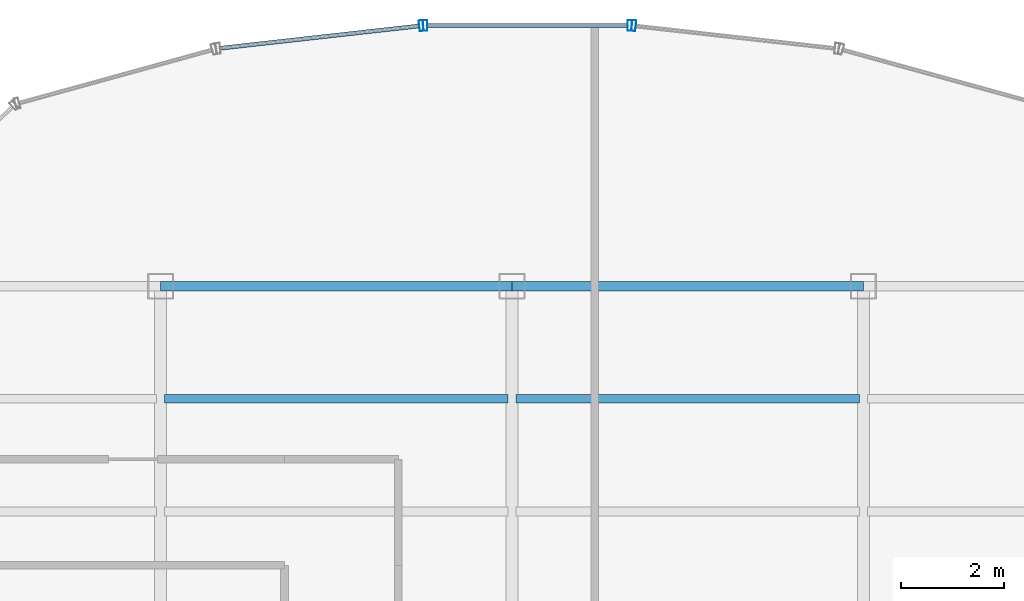
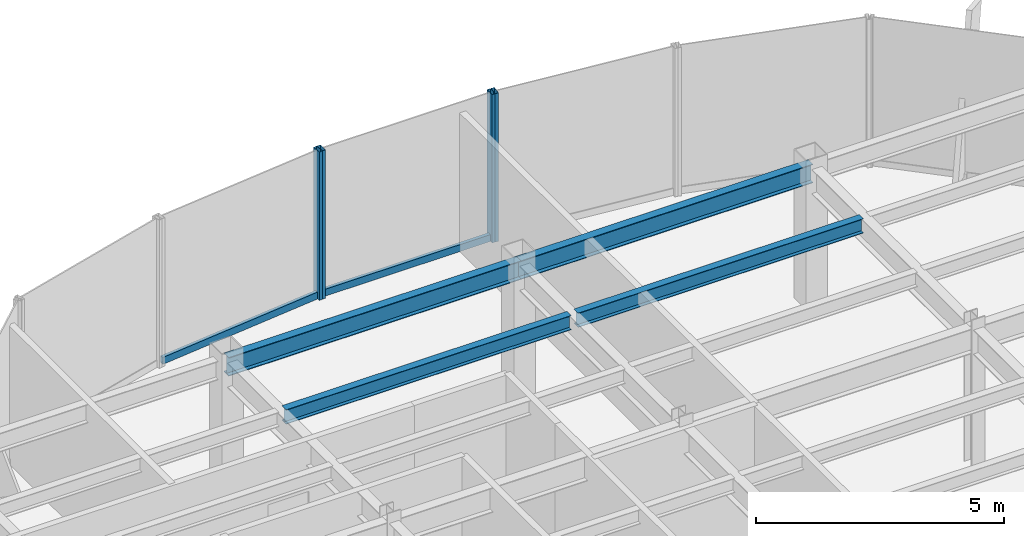
# One storey, part 13 of 22: 6 members, 4 beams, 3 elements without a shape of their own.
"""IFC4 building model written with IfcOpenShell, lengths in metres."""

from ifc_helpers import new_model, si_unit, derived_unit, direction, frame, origin, origin_2d, place, context, subcontext, project, spatial, hollow_rectangle, i_section, extrude, source, transform, mapped, material, material_profile, profile_set, type_object, element, aggregate, save


model = new_model("IFC4")

# Units and contexts
model_context = context("Model", 3, precision=1e-05, world=origin(), true_north=direction((0.0, 1.0)))
body_context = subcontext(model_context, "Body", "Model", "MODEL_VIEW")
ifc_project = project(units=[si_unit("LENGTHUNIT", "METRE"), si_unit("AREAUNIT", "SQUARE_METRE"), si_unit("VOLUMEUNIT", "CUBIC_METRE"), si_unit("PLANEANGLEUNIT", "RADIAN"), si_unit("MASSUNIT", "GRAM", prefix="KILO"), derived_unit("THERMALTRANSMITTANCEUNIT", [(si_unit("POWERUNIT", "WATT"), 1), (si_unit("LENGTHUNIT", "METRE"), -2), (si_unit("THERMODYNAMICTEMPERATUREUNIT", "KELVIN"), -1)])], contexts=[model_context])

# Site, building, storey
site_placement = place(None, origin())
site = spatial("IfcSite", under=ifc_project, at=site_placement, CompositionType="ELEMENT")
building_placement = place(site_placement, origin())
building = spatial("IfcBuilding", under=site, at=building_placement, Name="Skarnbrae Concourse Arena and Tower", CompositionType="ELEMENT")
storey_placement = place(building_placement, frame((0.0, 0.0, 214.14990234375)))
storey = spatial("IfcBuildingStorey", under=building, at=storey_placement, Name="L55", CompositionType="ELEMENT", Elevation=214.14990234375)

# Beams
ifc_material_1 = material(Name="Steel CSA G40.21 350W", Category="steel")
ifc_material_profile_1 = material_profile(ifc_material_1, i_section(OverallWidth=0.19091796875, OverallDepth=0.4599609375, WebThickness=0.010009765625, FlangeThickness=0.01611328125, at=origin_2d()), Name="W460X82")
ifc_profile_set_1 = profile_set([ifc_material_profile_1], Name="Steel CSA G40.21 350W")
beam_type_1 = type_object("IfcBeamType", Name="BM-SPAN-W460X82", PredefinedType="SPANDREL", material=ifc_profile_set_1)
shared_shape_1 = source(origin(), body_context, "Body", "SweptSolid", [
    extrude(i_section(OverallWidth=0.19091796875, OverallDepth=0.4599609375, WebThickness=0.010009765625, FlangeThickness=0.01611328125, at=origin_2d()), origin(), (0.0, 0.0, 1.0), 6.800048828125),
])
for number, where, z_axis, x_axis, name in (
    (1, (14.39990234375, 34.39990234375, 3.170166015625), (1.0, 0.0, 0.0), (0.0, 1.0, 0.0), "L55 Perimeter spandrel Y34.4-2"),
    (2, (21.199951171875, 34.39990234375, 3.170166015625), (1.0, 0.0, 0.0), (0.0, 1.0, 0.0), "L55 Perimeter spandrel Y34.4-3"),
):
    element("IfcBeam", number, at=place(storey_placement, frame(where, z_axis=z_axis, x_axis=x_axis)), inside=storey, type_object=beam_type_1, Name=name, PredefinedType="SPANDREL", context=body_context, shape_type="MappedRepresentation", body=[
        mapped(shared_shape_1, transform((0.0, 0.0, 0.0))),
    ])
ifc_material_profile_2 = material_profile(ifc_material_1, i_section(OverallWidth=0.1708984375, OverallDepth=0.35498046875, WebThickness=0.007080078125, FlangeThickness=0.01171875, at=origin_2d()), Name="W360X51")
ifc_profile_set_2 = profile_set([ifc_material_profile_2], Name="Steel CSA G40.21 350W")
beam_type_2 = type_object("IfcBeamType", Name="BM-JOIST-W360X51", PredefinedType="JOIST", material=ifc_profile_set_2)
shared_shape_2 = source(origin(), body_context, "Body", "SweptSolid", [
    extrude(i_section(OverallWidth=0.1708984375, OverallDepth=0.35498046875, WebThickness=0.007080078125, FlangeThickness=0.01171875, at=origin_2d()), origin(), (0.0, 0.0, 1.0), 6.64013671875),
])
beam_1_placement = place(storey_placement, frame((14.47998046875, 32.221923828125, 3.22265625), z_axis=(1.0, 0.0, 0.0), x_axis=(0.0, 1.0, 0.0)))
element("IfcBeam", 3, at=beam_1_placement, inside=storey, type_object=beam_type_2, Name="L55 Secondary floor joist 3.2.2", PredefinedType="JOIST", context=body_context, shape_type="MappedRepresentation", body=[
    mapped(shared_shape_2, transform((0.0, 0.0, 0.0))),
])
shared_shape_3 = source(origin(), body_context, "Body", "SweptSolid", [
    extrude(i_section(OverallWidth=0.1708984375, OverallDepth=0.35498046875, WebThickness=0.007080078125, FlangeThickness=0.01171875, at=origin_2d()), origin(), (0.0, 0.0, 1.0), 6.639892578125),
])
beam_2_placement = place(storey_placement, frame((21.280029296875, 32.221923828125, 3.22265625), z_axis=(1.0, 0.0, 0.0), x_axis=(0.0, 1.0, 0.0)))
element("IfcBeam", 4, at=beam_2_placement, inside=storey, type_object=beam_type_2, Name="L55 Secondary floor joist 3.2.3", PredefinedType="JOIST", context=body_context, shape_type="MappedRepresentation", body=[
    mapped(shared_shape_3, transform((0.0, 0.0, 0.0))),
])

# Curtain wall, member
ifc_material_2 = material(Name="Bronze anodised aluminium 6063-T6", Category="aluminium")
curtain_wall_type = type_object("IfcCurtainWallType", Name="CW-SYS-03-PORTAL", PredefinedType="USERDEFINED", material=ifc_material_2)
curtain_wall_1_placement = place(storey_placement, origin())
curtain_wall_1 = element("IfcCurtainWall", 5, at=curtain_wall_1_placement, inside=storey, type_object=curtain_wall_type, Name="L55 Unitised curtain wall CW-L55-E10", ObjectType="UNITISED CURTAIN WALL", PredefinedType="USERDEFINED")
ifc_material_profile_3 = material_profile(ifc_material_2, hollow_rectangle(XDim=0.080078125, YDim=0.2099609375, WallThickness=0.00439453125, at=origin_2d()), Name="ALU-MULL-80X210")
ifc_profile_set_3 = profile_set([ifc_material_profile_3], Name="Bronze anodised aluminium 6063-T6")
member_type_1 = type_object("IfcMemberType", Name="CWM-CW-03", PredefinedType="MULLION", material=ifc_profile_set_3)
shared_shape_4 = source(origin(), body_context, "Body", "SweptSolid", [
    extrude(hollow_rectangle(XDim=0.080078125, YDim=0.2099609375, WallThickness=0.00439453125, at=origin_2d()), origin(), (0.0, 0.0, 1.0), 3.650146484375),
])
member_1_placement = place(storey_placement, frame((23.556884765625, 39.442138671875, 0.0), z_axis=(0.0, 0.0, 1.0), x_axis=(-0.993768891873, 0.111460259941, 0.0)))
member_1 = element("IfcMember", 6, at=member_1_placement, type_object=member_type_1, Name="CW-L55-E10 Mullion 2", PredefinedType="MULLION", context=body_context, shape_type="MappedRepresentation", body=[
    mapped(shared_shape_4, transform((0.0, 0.0, 0.0))),
])
aggregate(curtain_wall_1, [member_1])

# Curtain wall, members
curtain_wall_2_placement = place(storey_placement, origin())
curtain_wall_2 = element("IfcCurtainWall", 7, at=curtain_wall_2_placement, inside=storey, type_object=curtain_wall_type, Name="L55 Unitised curtain wall CW-L55-E11", ObjectType="UNITISED CURTAIN WALL", PredefinedType="USERDEFINED")
member_2_placement = place(storey_placement, frame((23.477294921875, 39.44677734375, 0.0), z_axis=(0.0, 0.0, 1.0), x_axis=(-1.0, 0.0, 0.0)))
member_2 = element("IfcMember", 8, at=member_2_placement, type_object=member_type_1, Name="CW-L55-E11 Mullion 1", PredefinedType="MULLION", context=body_context, shape_type="MappedRepresentation", body=[
    mapped(shared_shape_4, transform((0.0, 0.0, 0.0))),
])
member_3_placement = place(storey_placement, frame((19.522705078125, 39.44677734375, 0.0), z_axis=(0.0, 0.0, 1.0), x_axis=(-1.0, 0.0, 0.0)))
member_3 = element("IfcMember", 9, at=member_3_placement, type_object=member_type_1, Name="CW-L55-E11 Mullion 2", PredefinedType="MULLION", context=body_context, shape_type="MappedRepresentation", body=[
    mapped(shared_shape_4, transform((0.0, 0.0, 0.0))),
])

curtain_wall_3_placement = place(storey_placement, origin())
curtain_wall_3 = element("IfcCurtainWall", 10, at=curtain_wall_3_placement, inside=storey, type_object=curtain_wall_type, Name="L55 Unitised curtain wall CW-L55-E12", ObjectType="UNITISED CURTAIN WALL", PredefinedType="USERDEFINED")
member_4_placement = place(storey_placement, frame((19.443115234375, 39.442138671875, 0.0), z_axis=(0.0, 0.0, 1.0), x_axis=(-0.993768891873, -0.111460259941, 0.0)))
member_4 = element("IfcMember", 11, at=member_4_placement, type_object=member_type_1, Name="CW-L55-E12 Mullion 1", PredefinedType="MULLION", context=body_context, shape_type="MappedRepresentation", body=[
    mapped(shared_shape_4, transform((0.0, 0.0, 0.0))),
])
ifc_material_profile_4 = material_profile(ifc_material_2, hollow_rectangle(XDim=0.080078125, YDim=0.169921875, WallThickness=0.00439453125, at=origin_2d()), Name="ALU-TRAN-80X170")
ifc_profile_set_4 = profile_set([ifc_material_profile_4], Name="Bronze anodised aluminium 6063-T6")
member_type_2 = type_object("IfcMemberType", Name="CWT-CW-03", PredefinedType="USERDEFINED", material=ifc_profile_set_4)
shared_shape_5 = source(origin(), body_context, "Body", "SweptSolid", [
    extrude(hollow_rectangle(XDim=0.080078125, YDim=0.169921875, WallThickness=0.00439453125, at=origin_2d()), origin(), (0.0, 0.0, 1.0), 3.873779296875),
])
member_5_placement = place(storey_placement, frame((19.4033203125, 39.437744140625, 0.085205078125), z_axis=(-0.993772558096, -0.111427567397, 0.0), x_axis=(0.111427567397, -0.993772558096, 0.0)))
member_5 = element("IfcMember", 12, at=member_5_placement, type_object=member_type_2, Name="CW-L55-E12 Transom 1", ObjectType="TRANSOM", PredefinedType="USERDEFINED", context=body_context, shape_type="MappedRepresentation", body=[
    mapped(shared_shape_5, transform((0.0, 0.0, 0.0))),
])
aggregate(curtain_wall_3, [member_4, member_5])

# Member
shared_shape_6 = source(origin(), body_context, "Body", "SweptSolid", [
    extrude(hollow_rectangle(XDim=0.080078125, YDim=0.169921875, WallThickness=0.00439453125, at=origin_2d()), origin(), (0.0, 0.0, 1.0), 3.87451171875),
])
member_6_placement = place(storey_placement, frame((23.437255859375, 39.44677734375, 0.085205078125), z_axis=(-1.0, 0.0, 0.0), x_axis=(0.0, -1.0, 0.0)))
member_6 = element("IfcMember", 13, at=member_6_placement, type_object=member_type_2, Name="CW-L55-E11 Transom 1", ObjectType="TRANSOM", PredefinedType="USERDEFINED", context=body_context, shape_type="MappedRepresentation", body=[
    mapped(shared_shape_6, transform((0.0, 0.0, 0.0))),
])

aggregate(curtain_wall_2, [member_2, member_3, member_6])

save(model, "model.ifc")
